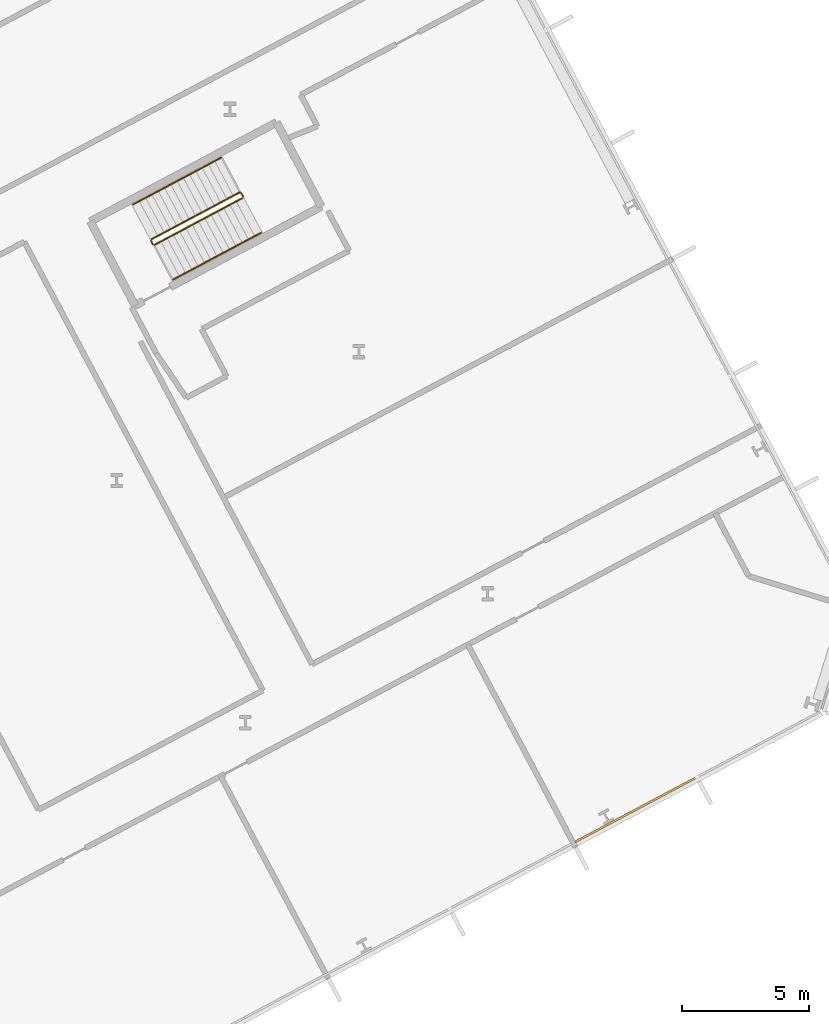
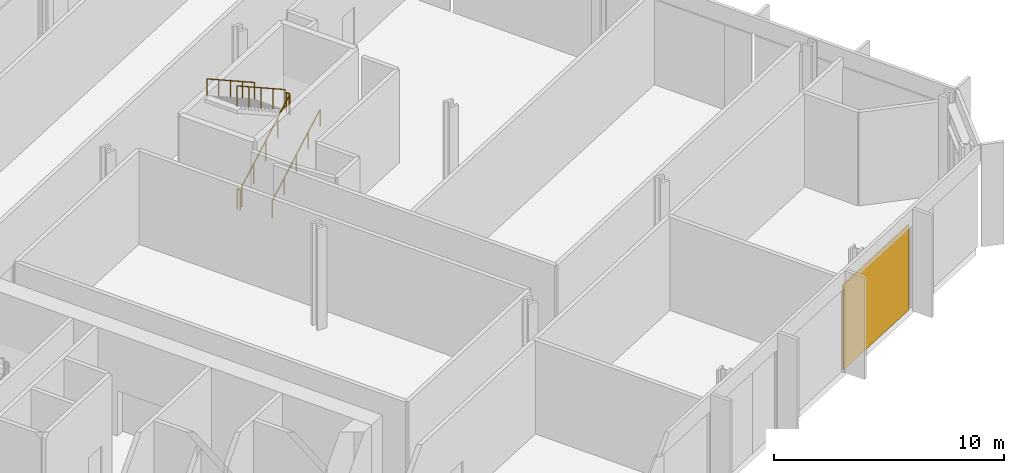
# One storey, part 30 of 32: 6 railings, 1 covering, 1 element without a shape of its own.
"""IFC4 building model written with IfcOpenShell, lengths in metres."""

import ifcopenshell
import ifcopenshell.guid

model = None  # the IFC model being written
_history = None  # IfcOwnerHistory: only IFC2X3 demands one
_inside = {}  # id of a spatial element -> (the spatial element, [elements in it])
_under = {}  # id of a project, library or spatial element -> (it, [spatial elements below it])
_declared = {}  # id of a project -> (the project, [libraries it declares])
_typed = {}  # id of a type object -> (the type object, [elements of that type])
_made_of = {}  # id of a material, layer set ... -> (it, [elements and type objects made of it])


def new_model(schema):
    """Start an empty IFC model of exactly this schema.

    Asked for "IFC4X3", IfcOpenShell would pick the latest addendum, in which some entities
    have other attributes; the version numbers below select the first issue.
    IFC2X3 requires an IfcOwnerHistory on every rooted entity: one is made here for all.
    """
    global model, _history
    if schema == "IFC4X3":
        model = ifcopenshell.file(schema_version=(4, 3, 0, 0))
    else:
        model = ifcopenshell.file(schema=schema)
    _inside.clear()
    _under.clear()
    _declared.clear()
    _typed.clear()
    _made_of.clear()
    _history = None
    if model.schema == "IFC2X3":
        org = make("IfcOrganization", Name="unknown")
        user = make(
            "IfcPersonAndOrganization",
            ThePerson=make("IfcPerson", FamilyName="unknown"),
            TheOrganization=org,
        )
        app = make(
            "IfcApplication",
            ApplicationDeveloper=org,
            Version="unknown",
            ApplicationFullName="unknown",
            ApplicationIdentifier="unknown",
        )
        _history = make(
            "IfcOwnerHistory",
            OwningUser=user,
            OwningApplication=app,
            ChangeAction="ADDED",
            CreationDate=0,
        )
    return model


def make(cls, **values):
    """One entity of the class cls with the attributes given. An attribute that is None is left unset."""
    return model.create_entity(
        cls, **{name: value for name, value in values.items() if value is not None}
    )


def rooted(cls, **values):
    """An entity with a GlobalId (a new one), such as an element, a storey or a relation."""
    return make(cls, GlobalId=ifcopenshell.guid.new(), OwnerHistory=_history, **values)


def si_unit(unit_type, name, prefix=None):
    """IfcSIUnit, for example si_unit("LENGTHUNIT", "METRE", prefix="MILLI")."""
    return make("IfcSIUnit", UnitType=unit_type, Prefix=prefix, Name=name)


def assignment(units):
    """IfcUnitAssignment: the units of a project."""
    return None if units is None else make("IfcUnitAssignment", Units=units)


def point(xyz):
    """IfcCartesianPoint."""
    return None if xyz is None else make("IfcCartesianPoint", Coordinates=xyz)


def direction(xyz):
    """IfcDirection."""
    return None if xyz is None else make("IfcDirection", DirectionRatios=xyz)


def frame(location, z_axis=None, x_axis=None):
    """IfcAxis2Placement3D, a coordinate frame: its origin and axes. An axis left out is left unset."""
    return make(
        "IfcAxis2Placement3D",
        Location=point(location),
        Axis=direction(z_axis),
        RefDirection=direction(x_axis),
    )


def frame_2d(location, x_axis=None):
    """IfcAxis2Placement2D, a coordinate frame in the plane: its origin and x axis."""
    return make(
        "IfcAxis2Placement2D", Location=point(location), RefDirection=direction(x_axis)
    )


def origin():
    """The frame at (0, 0, 0) with its axes left unset."""
    return frame((0.0, 0.0, 0.0))


def origin_2d():
    """The frame at (0, 0) in the plane with its x axis left unset."""
    return frame_2d((0.0, 0.0))


def place(relative_to, where):
    """IfcLocalPlacement: puts the frame where relative to a parent placement (None: the world)."""
    return make(
        "IfcLocalPlacement", PlacementRelTo=relative_to, RelativePlacement=where
    )


def context(
    kind, dimensions, precision=None, world=None, true_north=None, identifier=None
):
    """IfcGeometricRepresentationContext, for example the 3D "Model" context."""
    return make(
        "IfcGeometricRepresentationContext",
        ContextIdentifier=identifier,
        ContextType=kind,
        CoordinateSpaceDimension=dimensions,
        Precision=precision,
        WorldCoordinateSystem=world,
        TrueNorth=true_north,
    )


def subcontext(parent, identifier, kind, view, scale=None):
    """IfcGeometricRepresentationSubContext, for example "Body" below "Model"."""
    return make(
        "IfcGeometricRepresentationSubContext",
        ContextIdentifier=identifier,
        ContextType=kind,
        ParentContext=parent,
        TargetScale=scale,
        TargetView=view,
    )


def project(units=None, contexts=None):
    """IfcProject with its units and contexts."""
    return rooted(
        "IfcProject",
        Name="project",
        RepresentationContexts=contexts,
        UnitsInContext=assignment(units),
    )


def spatial(cls, under=None, at=None, **own):
    """A site, building, storey or space (cls), placed at a placement, below another one or the project."""
    s = rooted(cls, ObjectPlacement=at, **own)
    if under is not None:
        _under.setdefault(under.id(), (under, []))[1].append(s)
    return s


def polyline(points):
    """IfcPolyline through the points."""
    return make("IfcPolyline", Points=[point(p) for p in points])


def profile(cls, at=None, kind="AREA", **sizes):
    """A parametric profile (cls). Its sizes go by their IFC names, for example OverallWidth=200.0."""
    return make(cls, ProfileType=kind, Position=at, **sizes)


def rectangle(**sizes):
    """IfcRectangleProfileDef."""
    return profile("IfcRectangleProfileDef", **sizes)


def outline(outer, holes=None, kind="AREA"):
    """IfcArbitraryClosedProfileDef: a profile drawn as a closed curve; with holes, ...WithVoids."""
    if holes is None:
        return make("IfcArbitraryClosedProfileDef", ProfileType=kind, OuterCurve=outer)
    return make(
        "IfcArbitraryProfileDefWithVoids",
        ProfileType=kind,
        OuterCurve=outer,
        InnerCurves=holes,
    )


def extrude(swept, where, along, depth):
    """IfcExtrudedAreaSolid: the profile swept, set in the frame where, extruded along a direction by depth."""
    return make(
        "IfcExtrudedAreaSolid",
        SweptArea=swept,
        Position=where,
        ExtrudedDirection=direction(along),
        Depth=depth,
    )


def shape(context_of_items, identifier, shape_type, items):
    """IfcShapeRepresentation: the items that make up one representation, for example the "Body"."""
    return make(
        "IfcShapeRepresentation",
        ContextOfItems=context_of_items,
        RepresentationIdentifier=identifier,
        RepresentationType=shape_type,
        Items=items,
    )


def material(Name=None, Category=None):
    """IfcMaterial."""
    return make("IfcMaterial", Name=Name, Category=Category)


def layer(
    of_material, thickness, ventilated=None, Name=None, Category=None, Priority=None
):
    """IfcMaterialLayer: one layer of a wall or slab, of a material (None: an air gap)."""
    return make(
        "IfcMaterialLayer",
        Material=of_material,
        LayerThickness=thickness,
        IsVentilated=ventilated,
        Name=Name,
        Category=Category,
        Priority=Priority,
    )


def layer_set(layers, Name=None):
    """IfcMaterialLayerSet."""
    return make("IfcMaterialLayerSet", MaterialLayers=layers, LayerSetName=Name)


def made_of(thing, what):
    """Note that an element or type object is made of a material, layer set ...; save() writes the relation."""
    if what is not None:
        _made_of.setdefault(what.id(), (what, []))[1].append(thing)
    return thing


def type_object(cls, material=None, **own):
    """A type object (cls), such as IfcWallType, which elements share."""
    return made_of(rooted(cls, **own), material)


def element(
    cls,
    number,
    at=None,
    inside=None,
    cuts=None,
    type_object=None,
    material=None,
    context=None,
    identifier="Body",
    shape_type=None,
    held_by="IfcProductDefinitionShape",
    body=None,
    shapes=None,
    **own,
):
    """One element of the class cls, such as IfcWall. Its Tag is "e" and its number.

    at: its placement. inside: the storey or other place that contains it. cuts: it is an
    opening in that element (IfcRelVoidsElement). A single representation is given by context,
    identifier, shape_type and body (its items); several are given by shapes. held_by: the class
    of the entity that holds the representations. save() writes the other relations.
    """
    e = rooted(cls, Tag="e%d" % number, ObjectPlacement=at, **own)
    if body is not None:
        shapes = [shape(context, identifier, shape_type, body)]
    if shapes is not None:
        e.Representation = make(held_by, Representations=shapes)
    if inside is not None:
        _inside.setdefault(inside.id(), (inside, []))[1].append(e)
    if cuts is not None:
        rooted(
            "IfcRelVoidsElement", RelatingBuildingElement=cuts, RelatedOpeningElement=e
        )
    if type_object is not None:
        _typed.setdefault(type_object.id(), (type_object, []))[1].append(e)
    return made_of(e, material)


def aggregate(whole, parts):
    """IfcRelAggregates: a whole, such as a stair, and the parts it consists of."""
    return rooted("IfcRelAggregates", RelatingObject=whole, RelatedObjects=parts)


def save(model, path):
    """Write the relations noted so far, then the file.

    IfcRelAggregates (storeys below a building ...), IfcRelContainedInSpatialStructure (elements
    in a storey), IfcRelDefinesByType, IfcRelAssociatesMaterial and IfcRelDeclares: one each for
    every whole, place, type object, material and project.
    """
    for whole, parts in _under.values():
        aggregate(whole, parts)
    for where, things in _inside.values():
        rooted(
            "IfcRelContainedInSpatialStructure",
            RelatedElements=things,
            RelatingStructure=where,
        )
    for kind, things in _typed.values():
        rooted("IfcRelDefinesByType", RelatedObjects=things, RelatingType=kind)
    for what, things in _made_of.values():
        rooted("IfcRelAssociatesMaterial", RelatedObjects=things, RelatingMaterial=what)
    for by, libraries in _declared.values():
        rooted("IfcRelDeclares", RelatingContext=by, RelatedDefinitions=libraries)
    model.write(path)


model = new_model("IFC4")

# Units and contexts
model_context = context("Model", 3, precision=1e-05, world=origin(), true_north=direction((0.0, 1.0)))
body_context = subcontext(model_context, "Body", "Model", "MODEL_VIEW")
ifc_project = project(units=[si_unit("LENGTHUNIT", "METRE"), si_unit("AREAUNIT", "SQUARE_METRE"), si_unit("VOLUMEUNIT", "CUBIC_METRE"), si_unit("PLANEANGLEUNIT", "RADIAN"), si_unit("MASSUNIT", "GRAM", prefix="KILO")], contexts=[model_context])

# Site, building, storey
site_placement = place(None, origin())
site = spatial("IfcSite", under=ifc_project, at=site_placement, CompositionType="ELEMENT")
building_placement = place(site_placement, origin())
building = spatial("IfcBuilding", under=site, at=building_placement, Name="Cormorant Relay Tower", CompositionType="ELEMENT")
storey_placement = place(building_placement, frame((0.0, 0.0, 28.39990234375)))
storey = spatial("IfcBuildingStorey", under=building, at=storey_placement, Name="L05", CompositionType="ELEMENT", Elevation=28.39990234375)

# Curtain wall, covering
ifc_material_1 = material(Name="Aluminium 6063-T6 anodised bronze", Category="aluminium")
ifc_layer_1 = layer(ifc_material_1, 0.235107421875)
ifc_layer_set_1 = layer_set([ifc_layer_1], Name="CW6 data hall curtain wall with mineral wool panels")
curtain_wall_type = type_object("IfcCurtainWallType", Name="CW6 data hall curtain wall with mineral wool panels", PredefinedType="NOTDEFINED", material=ifc_layer_set_1)
curtain_wall_placement = place(storey_placement, origin())
curtain_wall = element("IfcCurtainWall", 1, at=curtain_wall_placement, inside=storey, type_object=curtain_wall_type, Name="CW6 curtain wall 2", PredefinedType="NOTDEFINED")
ifc_material_2 = material(Name="Mineral wool cored anodised bronze aluminium cassette panel", Category="aluminium")
ifc_layer_2 = layer(ifc_material_2, 0.074951171875)
ifc_layer_set_2 = layer_set([ifc_layer_2], Name="CW6 mineral wool cassette panel 75")
covering_type = type_object("IfcCoveringType", Name="CW6 mineral wool cassette panel 75", PredefinedType="CLADDING", material=ifc_layer_set_2)
covering_placement = place(storey_placement, frame((63.5, 9.93701171875, 0.0), z_axis=(0.0, 0.0, 1.0), x_axis=(0.882947592859, 0.469471562786, 0.0)))
covering = element("IfcCovering", 2, at=covering_placement, type_object=covering_type, Name="CW6 panel S13", PredefinedType="CLADDING", context=body_context, shape_type="SweptSolid", body=[
    extrude(rectangle(XDim=5.36181640625, YDim=0.074951171875, at=origin_2d()), origin(), (0.0, 0.0, 1.0), 4.5),
])
aggregate(curtain_wall, [covering])

# Railings
ifc_material_3 = material(Name="Steel ASTM A572 Grade 50 (Fy 345 MPa)", Category="steel")
railing_type_1 = type_object("IfcRailingType", Name="Stair guard 1100", PredefinedType="GUARDRAIL", material=ifc_material_3)
railing_1_placement = place(storey_placement, frame((44.583740234375, 32.186279296875, 0.18017578125)))
element("IfcRailing", 3, at=railing_1_placement, inside=storey, type_object=railing_type_1, Name="L05 RB1 stair guard 1", PredefinedType="GUARDRAIL", context=body_context, shape_type="SweptSolid", body=[
    extrude(outline(polyline([(0.022216796875, 0.00927734375), (0.00927734375, 0.022216796875), (-0.00927734375, 0.022216796875), (-0.022216796875, 0.00927734375), (-0.022216796875, -0.00927734375), (-0.00927734375, -0.022216796875), (0.00927734375, -0.022216796875), (0.022216796875, -0.00927734375), (0.022216796875, 0.00927734375)])), frame((0.0, 0.0, 1.076171875), z_axis=(0.74271721126, 0.394907409077, 0.540758062681), x_axis=(-0.469469396681, 0.882948744594, 0.0)), (0.0, 0.0, 1.0), 4.66015625),
    extrude(outline(polyline([(0.019287109375, 0.008056640625), (0.008056640625, 0.019287109375), (-0.008056640625, 0.019287109375), (-0.019287109375, 0.008056640625), (-0.019287109375, -0.008056640625), (-0.008056640625, -0.019287109375), (0.008056640625, -0.019287109375), (0.019287109375, -0.008056640625), (0.019287109375, 0.008056640625)])), origin(), (0.0, 0.0, 1.0), 1.052001953125),
    extrude(outline(polyline([(0.019287109375, 0.008056640625), (0.008056640625, 0.019287109375), (-0.008056640625, 0.019287109375), (-0.019287109375, 0.008056640625), (-0.019287109375, -0.008056640625), (-0.008056640625, -0.019287109375), (0.008056640625, -0.019287109375), (0.019287109375, -0.008056640625), (0.019287109375, 0.008056640625)])), frame((0.865234375, 0.4599609375, 0.6298828125)), (0.0, 0.0, 1.0), 1.052001953125),
    extrude(outline(polyline([(0.019287109375, 0.008056640625), (0.008056640625, 0.019287109375), (-0.008056640625, 0.019287109375), (-0.019287109375, 0.008056640625), (-0.019287109375, -0.008056640625), (-0.008056640625, -0.019287109375), (0.008056640625, -0.019287109375), (0.019287109375, -0.008056640625), (0.019287109375, 0.008056640625)])), frame((1.73046875, 0.920166015625, 1.260009765625)), (0.0, 0.0, 1.0), 1.052001953125),
    extrude(outline(polyline([(0.019287109375, 0.008056640625), (0.008056640625, 0.019287109375), (-0.008056640625, 0.019287109375), (-0.019287109375, 0.008056640625), (-0.019287109375, -0.008056640625), (-0.008056640625, -0.019287109375), (0.008056640625, -0.019287109375), (0.019287109375, -0.008056640625), (0.019287109375, 0.008056640625)])), frame((2.595947265625, 1.38037109375, 1.89013671875)), (0.0, 0.0, 1.0), 1.052001953125),
    extrude(outline(polyline([(0.019287109375, 0.008056640625), (0.008056640625, 0.019287109375), (-0.008056640625, 0.019287109375), (-0.019287109375, 0.008056640625), (-0.019287109375, -0.008056640625), (-0.008056640625, -0.019287109375), (0.008056640625, -0.019287109375), (0.019287109375, -0.008056640625), (0.019287109375, 0.008056640625)])), frame((3.461181640625, 1.84033203125, 2.52001953125)), (0.0, 0.0, 1.0), 1.052001953125),
])
railing_2_placement = place(storey_placement, frame((48.065673828125, 34.09423828125, 2.7001953125)))
element("IfcRailing", 4, at=railing_2_placement, inside=storey, type_object=railing_type_1, Name="L05 RB1 stair guard 2", PredefinedType="GUARDRAIL", context=body_context, shape_type="SweptSolid", body=[
    extrude(outline(polyline([(0.022216796875, 0.00927734375), (0.00927734375, 0.022216796875), (-0.00927734375, 0.022216796875), (-0.022216796875, 0.00927734375), (-0.022216796875, -0.00927734375), (-0.00927734375, -0.022216796875), (0.00927734375, -0.022216796875), (0.022216796875, -0.00927734375), (0.022216796875, 0.00927734375)])), frame((0.0, 0.0, 1.076171875), z_axis=(-0.469828648786, 0.882757634224, 0.0), x_axis=(-0.882757634224, -0.469828648786, 0.0)), (0.0, 0.0, 1.0), 0.150146484375),
    extrude(outline(polyline([(0.019287109375, 0.008056640625), (0.008056640625, 0.019287109375), (-0.008056640625, 0.019287109375), (-0.019287109375, 0.008056640625), (-0.019287109375, -0.008056640625), (-0.008056640625, -0.019287109375), (0.008056640625, -0.019287109375), (0.019287109375, -0.008056640625), (0.019287109375, 0.008056640625)])), origin(), (0.0, 0.0, 1.0), 1.052001953125),
    extrude(outline(polyline([(0.019287109375, 0.008056640625), (0.008056640625, 0.019287109375), (-0.008056640625, 0.019287109375), (-0.019287109375, 0.008056640625), (-0.019287109375, -0.008056640625), (-0.008056640625, -0.019287109375), (0.008056640625, -0.019287109375), (0.019287109375, -0.008056640625), (0.019287109375, 0.008056640625)])), frame((-0.070556640625, 0.132568359375, 0.0)), (0.0, 0.0, 1.0), 1.052001953125),
])
railing_3_placement = place(storey_placement, frame((47.927490234375, 34.24755859375, 2.880126953125)))
element("IfcRailing", 5, at=railing_3_placement, inside=storey, type_object=railing_type_1, Name="L05 RB1 stair guard 3", PredefinedType="GUARDRAIL", context=body_context, shape_type="SweptSolid", body=[
    extrude(outline(polyline([(0.022216796875, 0.00927734375), (0.00927734375, 0.022216796875), (-0.00927734375, 0.022216796875), (-0.022216796875, 0.00927734375), (-0.022216796875, -0.00927734375), (-0.00927734375, -0.022216796875), (0.00927734375, -0.022216796875), (0.022216796875, -0.00927734375), (0.022216796875, 0.00927734375)])), frame((0.0, 0.0, 1.076171875), z_axis=(-0.74271721126, -0.394907409077, 0.540758062681), x_axis=(0.469469396681, -0.882948744594, 0.0)), (0.0, 0.0, 1.0), 4.66015625),
    extrude(outline(polyline([(0.019287109375, 0.008056640625), (0.008056640625, 0.019287109375), (-0.008056640625, 0.019287109375), (-0.019287109375, 0.008056640625), (-0.019287109375, -0.008056640625), (-0.008056640625, -0.019287109375), (0.008056640625, -0.019287109375), (0.019287109375, -0.008056640625), (0.019287109375, 0.008056640625)])), origin(), (0.0, 0.0, 1.0), 1.052001953125),
    extrude(outline(polyline([(0.019287109375, 0.008056640625), (0.008056640625, 0.019287109375), (-0.008056640625, 0.019287109375), (-0.019287109375, 0.008056640625), (-0.019287109375, -0.008056640625), (-0.008056640625, -0.019287109375), (0.008056640625, -0.019287109375), (0.019287109375, -0.008056640625), (0.019287109375, 0.008056640625)])), frame((-0.865234375, -0.4599609375, 0.6298828125)), (0.0, 0.0, 1.0), 1.052001953125),
    extrude(outline(polyline([(0.019287109375, 0.008056640625), (0.008056640625, 0.019287109375), (-0.008056640625, 0.019287109375), (-0.019287109375, 0.008056640625), (-0.019287109375, -0.008056640625), (-0.008056640625, -0.019287109375), (0.008056640625, -0.019287109375), (0.019287109375, -0.008056640625), (0.019287109375, 0.008056640625)])), frame((-1.73046875, -0.920166015625, 1.260009765625)), (0.0, 0.0, 1.0), 1.052001953125),
    extrude(outline(polyline([(0.019287109375, 0.008056640625), (0.008056640625, 0.019287109375), (-0.008056640625, 0.019287109375), (-0.019287109375, 0.008056640625), (-0.019287109375, -0.008056640625), (-0.008056640625, -0.019287109375), (0.008056640625, -0.019287109375), (0.019287109375, -0.008056640625), (0.019287109375, 0.008056640625)])), frame((-2.595947265625, -1.38037109375, 1.89013671875)), (0.0, 0.0, 1.0), 1.052001953125),
    extrude(outline(polyline([(0.019287109375, 0.008056640625), (0.008056640625, 0.019287109375), (-0.008056640625, 0.019287109375), (-0.019287109375, 0.008056640625), (-0.019287109375, -0.008056640625), (-0.008056640625, -0.019287109375), (0.008056640625, -0.019287109375), (0.019287109375, -0.008056640625), (0.019287109375, 0.008056640625)])), frame((-3.461181640625, -1.84033203125, 2.52001953125)), (0.0, 0.0, 1.0), 1.052001953125),
])
railing_4_placement = place(storey_placement, frame((44.51611328125, 32.20703125, 0.0)))
element("IfcRailing", 6, at=railing_4_placement, inside=storey, type_object=railing_type_1, Name="L05 RB1 stair guard 4", PredefinedType="GUARDRAIL", context=body_context, shape_type="SweptSolid", body=[
    extrude(outline(polyline([(0.022216796875, 0.00927734375), (0.00927734375, 0.022216796875), (-0.00927734375, 0.022216796875), (-0.022216796875, 0.00927734375), (-0.022216796875, -0.00927734375), (-0.00927734375, -0.022216796875), (0.00927734375, -0.022216796875), (0.022216796875, -0.00927734375), (0.022216796875, 0.00927734375)])), frame((0.0, 0.0, 1.076171875), z_axis=(-0.46856034887, 0.8834314911, 0.0), x_axis=(-0.8834314911, -0.46856034887, 0.0)), (0.0, 0.0, 1.0), 0.150146484375),
    extrude(outline(polyline([(0.019287109375, 0.008056640625), (0.008056640625, 0.019287109375), (-0.008056640625, 0.019287109375), (-0.019287109375, 0.008056640625), (-0.019287109375, -0.008056640625), (-0.008056640625, -0.019287109375), (0.008056640625, -0.019287109375), (0.019287109375, -0.008056640625), (0.019287109375, 0.008056640625)])), origin(), (0.0, 0.0, 1.0), 1.052001953125),
    extrude(outline(polyline([(0.019287109375, 0.008056640625), (0.008056640625, 0.019287109375), (-0.008056640625, 0.019287109375), (-0.019287109375, 0.008056640625), (-0.019287109375, -0.008056640625), (-0.008056640625, -0.019287109375), (0.008056640625, -0.019287109375), (0.019287109375, -0.008056640625), (0.019287109375, 0.008056640625)])), frame((-0.0703125, 0.132568359375, 0.0)), (0.0, 0.0, 1.0), 1.052001953125),
])
ifc_material_4 = material(Name="Steel ASTM A572 Grade 50 (Fy 345 MPa)", Category="steel")
railing_type_2 = type_object("IfcRailingType", Name="Stair handrail 900", PredefinedType="HANDRAIL", material=ifc_material_4)
railing_5_placement = place(storey_placement, frame((45.3115234375, 30.81787109375, 0.18017578125)))
element("IfcRailing", 7, at=railing_5_placement, inside=storey, type_object=railing_type_2, Name="L05 RB1 stair handrail 1", PredefinedType="HANDRAIL", context=body_context, shape_type="SweptSolid", body=[
    extrude(outline(polyline([(0.022216796875, 0.00927734375), (0.00927734375, 0.022216796875), (-0.00927734375, 0.022216796875), (-0.022216796875, 0.00927734375), (-0.022216796875, -0.00927734375), (-0.00927734375, -0.022216796875), (0.00927734375, -0.022216796875), (0.022216796875, -0.00927734375), (0.022216796875, 0.00927734375)])), frame((0.0, 0.0, 0.8759765625), z_axis=(0.74271721126, 0.394907409077, 0.540758062681), x_axis=(-0.469469396681, 0.882948744594, 0.0)), (0.0, 0.0, 1.0), 4.66015625),
    extrude(outline(polyline([(0.019287109375, 0.008056640625), (0.008056640625, 0.019287109375), (-0.008056640625, 0.019287109375), (-0.019287109375, 0.008056640625), (-0.019287109375, -0.008056640625), (-0.008056640625, -0.019287109375), (0.008056640625, -0.019287109375), (0.019287109375, -0.008056640625), (0.019287109375, 0.008056640625)])), origin(), (0.0, 0.0, 1.0), 0.851806640625),
    extrude(outline(polyline([(0.019287109375, 0.008056640625), (0.008056640625, 0.019287109375), (-0.008056640625, 0.019287109375), (-0.019287109375, 0.008056640625), (-0.019287109375, -0.008056640625), (-0.008056640625, -0.019287109375), (0.008056640625, -0.019287109375), (0.019287109375, -0.008056640625), (0.019287109375, 0.008056640625)])), frame((0.865234375, 0.4599609375, 0.6298828125)), (0.0, 0.0, 1.0), 0.851806640625),
    extrude(outline(polyline([(0.019287109375, 0.008056640625), (0.008056640625, 0.019287109375), (-0.008056640625, 0.019287109375), (-0.019287109375, 0.008056640625), (-0.019287109375, -0.008056640625), (-0.008056640625, -0.019287109375), (0.008056640625, -0.019287109375), (0.019287109375, -0.008056640625), (0.019287109375, 0.008056640625)])), frame((1.73046875, 0.920166015625, 1.260009765625)), (0.0, 0.0, 1.0), 0.851806640625),
    extrude(outline(polyline([(0.019287109375, 0.008056640625), (0.008056640625, 0.019287109375), (-0.008056640625, 0.019287109375), (-0.019287109375, 0.008056640625), (-0.019287109375, -0.008056640625), (-0.008056640625, -0.019287109375), (0.008056640625, -0.019287109375), (0.019287109375, -0.008056640625), (0.019287109375, 0.008056640625)])), frame((2.595947265625, 1.38037109375, 1.89013671875)), (0.0, 0.0, 1.0), 0.851806640625),
    extrude(outline(polyline([(0.019287109375, 0.008056640625), (0.008056640625, 0.019287109375), (-0.008056640625, 0.019287109375), (-0.019287109375, 0.008056640625), (-0.019287109375, -0.008056640625), (-0.008056640625, -0.019287109375), (0.008056640625, -0.019287109375), (0.019287109375, -0.008056640625), (0.019287109375, 0.008056640625)])), frame((3.461181640625, 1.84033203125, 2.52001953125)), (0.0, 0.0, 1.0), 0.851806640625),
])
railing_6_placement = place(storey_placement, frame((47.199951171875, 35.615966796875, 2.880126953125)))
element("IfcRailing", 8, at=railing_6_placement, inside=storey, type_object=railing_type_2, Name="L05 RB1 stair handrail 2", PredefinedType="HANDRAIL", context=body_context, shape_type="SweptSolid", body=[
    extrude(outline(polyline([(0.022216796875, 0.00927734375), (0.00927734375, 0.022216796875), (-0.00927734375, 0.022216796875), (-0.022216796875, 0.00927734375), (-0.022216796875, -0.00927734375), (-0.00927734375, -0.022216796875), (0.00927734375, -0.022216796875), (0.022216796875, -0.00927734375), (0.022216796875, 0.00927734375)])), frame((0.0, 0.0, 0.8759765625), z_axis=(-0.74271721126, -0.394907409077, 0.540758062681), x_axis=(0.469469396681, -0.882948744594, 0.0)), (0.0, 0.0, 1.0), 4.66015625),
    extrude(outline(polyline([(0.019287109375, 0.008056640625), (0.008056640625, 0.019287109375), (-0.008056640625, 0.019287109375), (-0.019287109375, 0.008056640625), (-0.019287109375, -0.008056640625), (-0.008056640625, -0.019287109375), (0.008056640625, -0.019287109375), (0.019287109375, -0.008056640625), (0.019287109375, 0.008056640625)])), origin(), (0.0, 0.0, 1.0), 0.851806640625),
    extrude(outline(polyline([(0.019287109375, 0.008056640625), (0.008056640625, 0.019287109375), (-0.008056640625, 0.019287109375), (-0.019287109375, 0.008056640625), (-0.019287109375, -0.008056640625), (-0.008056640625, -0.019287109375), (0.008056640625, -0.019287109375), (0.019287109375, -0.008056640625), (0.019287109375, 0.008056640625)])), frame((-0.865234375, -0.4599609375, 0.6298828125)), (0.0, 0.0, 1.0), 0.851806640625),
    extrude(outline(polyline([(0.019287109375, 0.008056640625), (0.008056640625, 0.019287109375), (-0.008056640625, 0.019287109375), (-0.019287109375, 0.008056640625), (-0.019287109375, -0.008056640625), (-0.008056640625, -0.019287109375), (0.008056640625, -0.019287109375), (0.019287109375, -0.008056640625), (0.019287109375, 0.008056640625)])), frame((-1.73046875, -0.920166015625, 1.260009765625)), (0.0, 0.0, 1.0), 0.851806640625),
    extrude(outline(polyline([(0.019287109375, 0.008056640625), (0.008056640625, 0.019287109375), (-0.008056640625, 0.019287109375), (-0.019287109375, 0.008056640625), (-0.019287109375, -0.008056640625), (-0.008056640625, -0.019287109375), (0.008056640625, -0.019287109375), (0.019287109375, -0.008056640625), (0.019287109375, 0.008056640625)])), frame((-2.595947265625, -1.38037109375, 1.89013671875)), (0.0, 0.0, 1.0), 0.851806640625),
    extrude(outline(polyline([(0.019287109375, 0.008056640625), (0.008056640625, 0.019287109375), (-0.008056640625, 0.019287109375), (-0.019287109375, 0.008056640625), (-0.019287109375, -0.008056640625), (-0.008056640625, -0.019287109375), (0.008056640625, -0.019287109375), (0.019287109375, -0.008056640625), (0.019287109375, 0.008056640625)])), frame((-3.461181640625, -1.84033203125, 2.52001953125)), (0.0, 0.0, 1.0), 0.851806640625),
])

save(model, "model.ifc")
